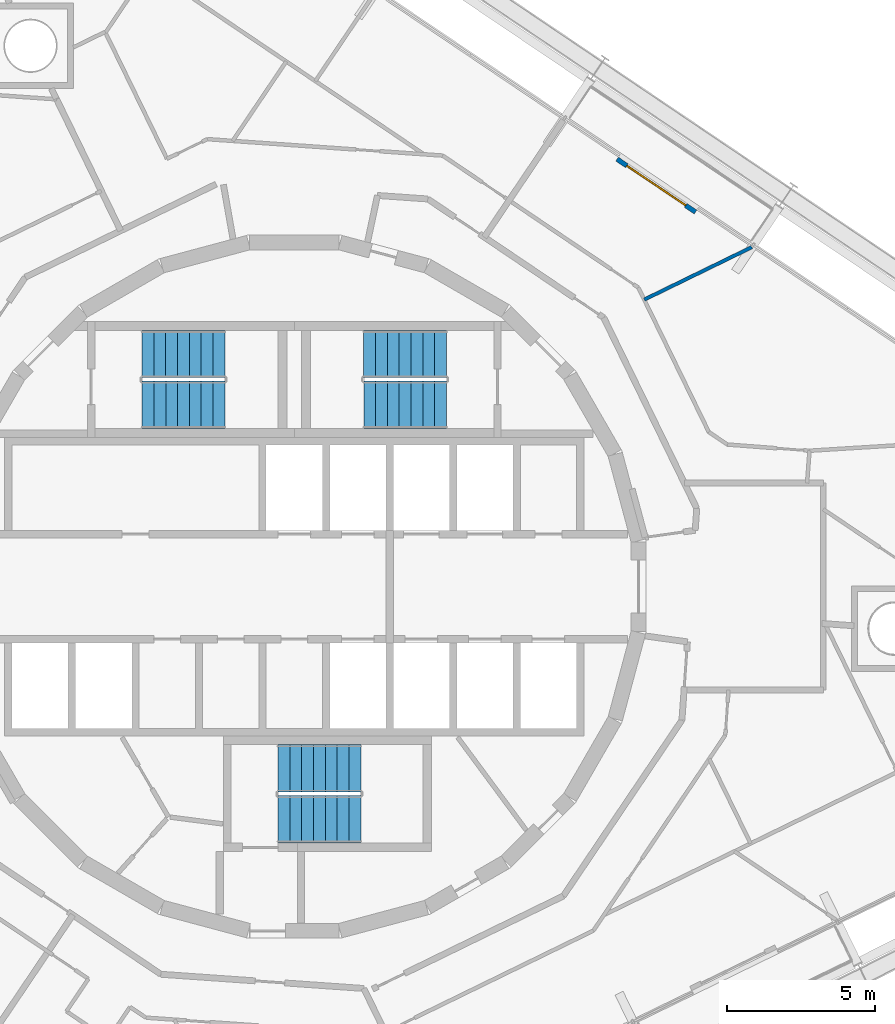
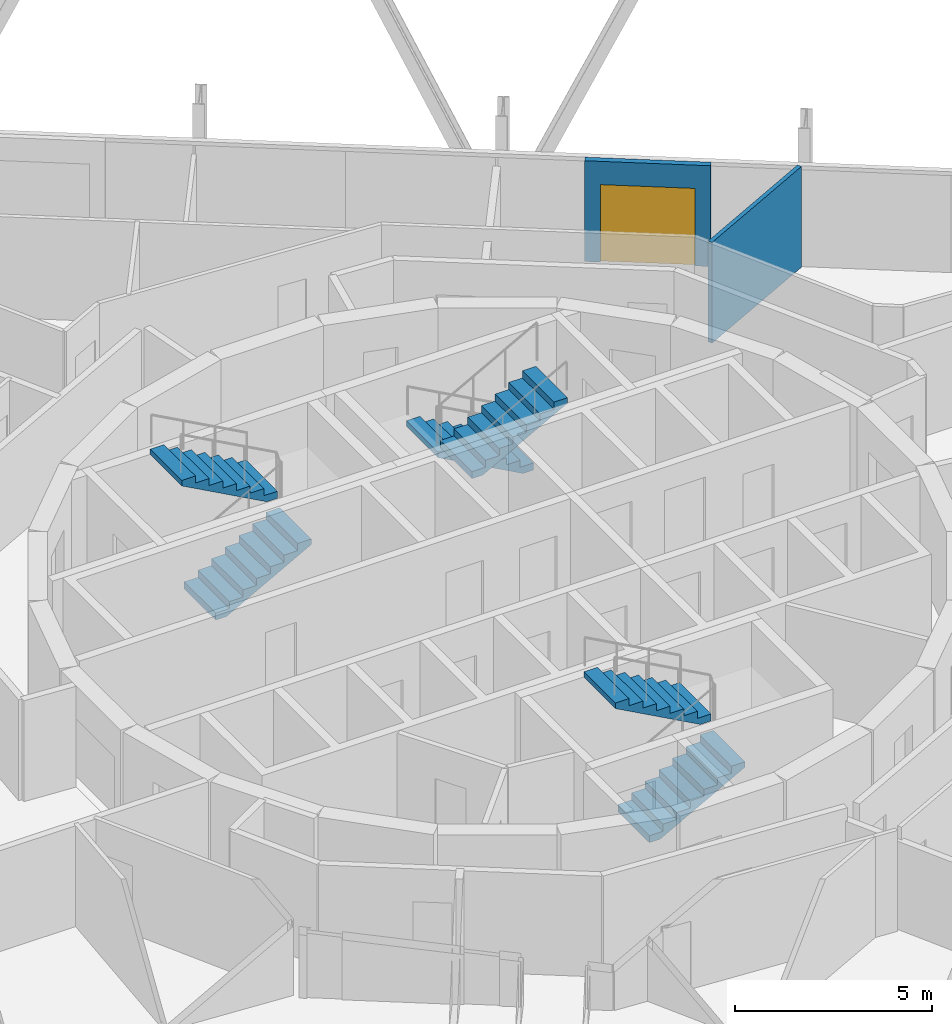
# One storey, part 17 of 18: 6 stair flights, 2 walls, 1 door, 1 opening, 3 elements without a shape of their own.
"""IFC4 building model written with IfcOpenShell, lengths in metres."""

import ifcopenshell
import ifcopenshell.guid

model = None  # the IFC model being written
_history = None  # IfcOwnerHistory: only IFC2X3 demands one
_inside = {}  # id of a spatial element -> (the spatial element, [elements in it])
_under = {}  # id of a project, library or spatial element -> (it, [spatial elements below it])
_declared = {}  # id of a project -> (the project, [libraries it declares])
_typed = {}  # id of a type object -> (the type object, [elements of that type])
_made_of = {}  # id of a material, layer set ... -> (it, [elements and type objects made of it])


def new_model(schema):
    """Start an empty IFC model of exactly this schema.

    Asked for "IFC4X3", IfcOpenShell would pick the latest addendum, in which some entities
    have other attributes; the version numbers below select the first issue.
    IFC2X3 requires an IfcOwnerHistory on every rooted entity: one is made here for all.
    """
    global model, _history
    if schema == "IFC4X3":
        model = ifcopenshell.file(schema_version=(4, 3, 0, 0))
    else:
        model = ifcopenshell.file(schema=schema)
    _inside.clear()
    _under.clear()
    _declared.clear()
    _typed.clear()
    _made_of.clear()
    _history = None
    if model.schema == "IFC2X3":
        org = make("IfcOrganization", Name="unknown")
        user = make(
            "IfcPersonAndOrganization",
            ThePerson=make("IfcPerson", FamilyName="unknown"),
            TheOrganization=org,
        )
        app = make(
            "IfcApplication",
            ApplicationDeveloper=org,
            Version="unknown",
            ApplicationFullName="unknown",
            ApplicationIdentifier="unknown",
        )
        _history = make(
            "IfcOwnerHistory",
            OwningUser=user,
            OwningApplication=app,
            ChangeAction="ADDED",
            CreationDate=0,
        )
    return model


def make(cls, **values):
    """One entity of the class cls with the attributes given. An attribute that is None is left unset."""
    return model.create_entity(
        cls, **{name: value for name, value in values.items() if value is not None}
    )


def rooted(cls, **values):
    """An entity with a GlobalId (a new one), such as an element, a storey or a relation."""
    return make(cls, GlobalId=ifcopenshell.guid.new(), OwnerHistory=_history, **values)


def si_unit(unit_type, name, prefix=None):
    """IfcSIUnit, for example si_unit("LENGTHUNIT", "METRE", prefix="MILLI")."""
    return make("IfcSIUnit", UnitType=unit_type, Prefix=prefix, Name=name)


def assignment(units):
    """IfcUnitAssignment: the units of a project."""
    return None if units is None else make("IfcUnitAssignment", Units=units)


def point(xyz):
    """IfcCartesianPoint."""
    return None if xyz is None else make("IfcCartesianPoint", Coordinates=xyz)


def direction(xyz):
    """IfcDirection."""
    return None if xyz is None else make("IfcDirection", DirectionRatios=xyz)


def frame(location, z_axis=None, x_axis=None):
    """IfcAxis2Placement3D, a coordinate frame: its origin and axes. An axis left out is left unset."""
    return make(
        "IfcAxis2Placement3D",
        Location=point(location),
        Axis=direction(z_axis),
        RefDirection=direction(x_axis),
    )


def frame_2d(location, x_axis=None):
    """IfcAxis2Placement2D, a coordinate frame in the plane: its origin and x axis."""
    return make(
        "IfcAxis2Placement2D", Location=point(location), RefDirection=direction(x_axis)
    )


def origin():
    """The frame at (0, 0, 0) with its axes left unset."""
    return frame((0.0, 0.0, 0.0))


def place(relative_to, where):
    """IfcLocalPlacement: puts the frame where relative to a parent placement (None: the world)."""
    return make(
        "IfcLocalPlacement", PlacementRelTo=relative_to, RelativePlacement=where
    )


def context(
    kind, dimensions, precision=None, world=None, true_north=None, identifier=None
):
    """IfcGeometricRepresentationContext, for example the 3D "Model" context."""
    return make(
        "IfcGeometricRepresentationContext",
        ContextIdentifier=identifier,
        ContextType=kind,
        CoordinateSpaceDimension=dimensions,
        Precision=precision,
        WorldCoordinateSystem=world,
        TrueNorth=true_north,
    )


def subcontext(parent, identifier, kind, view, scale=None):
    """IfcGeometricRepresentationSubContext, for example "Body" below "Model"."""
    return make(
        "IfcGeometricRepresentationSubContext",
        ContextIdentifier=identifier,
        ContextType=kind,
        ParentContext=parent,
        TargetScale=scale,
        TargetView=view,
    )


def project(units=None, contexts=None):
    """IfcProject with its units and contexts."""
    return rooted(
        "IfcProject",
        Name="project",
        RepresentationContexts=contexts,
        UnitsInContext=assignment(units),
    )


def spatial(cls, under=None, at=None, **own):
    """A site, building, storey or space (cls), placed at a placement, below another one or the project."""
    s = rooted(cls, ObjectPlacement=at, **own)
    if under is not None:
        _under.setdefault(under.id(), (under, []))[1].append(s)
    return s


def polyline(points):
    """IfcPolyline through the points."""
    return make("IfcPolyline", Points=[point(p) for p in points])


def profile(cls, at=None, kind="AREA", **sizes):
    """A parametric profile (cls). Its sizes go by their IFC names, for example OverallWidth=200.0."""
    return make(cls, ProfileType=kind, Position=at, **sizes)


def rectangle(**sizes):
    """IfcRectangleProfileDef."""
    return profile("IfcRectangleProfileDef", **sizes)


def outline(outer, holes=None, kind="AREA"):
    """IfcArbitraryClosedProfileDef: a profile drawn as a closed curve; with holes, ...WithVoids."""
    if holes is None:
        return make("IfcArbitraryClosedProfileDef", ProfileType=kind, OuterCurve=outer)
    return make(
        "IfcArbitraryProfileDefWithVoids",
        ProfileType=kind,
        OuterCurve=outer,
        InnerCurves=holes,
    )


def extrude(swept, where, along, depth):
    """IfcExtrudedAreaSolid: the profile swept, set in the frame where, extruded along a direction by depth."""
    return make(
        "IfcExtrudedAreaSolid",
        SweptArea=swept,
        Position=where,
        ExtrudedDirection=direction(along),
        Depth=depth,
    )


def shape(context_of_items, identifier, shape_type, items):
    """IfcShapeRepresentation: the items that make up one representation, for example the "Body"."""
    return make(
        "IfcShapeRepresentation",
        ContextOfItems=context_of_items,
        RepresentationIdentifier=identifier,
        RepresentationType=shape_type,
        Items=items,
    )


def material(Name=None, Category=None):
    """IfcMaterial."""
    return make("IfcMaterial", Name=Name, Category=Category)


def layer(
    of_material, thickness, ventilated=None, Name=None, Category=None, Priority=None
):
    """IfcMaterialLayer: one layer of a wall or slab, of a material (None: an air gap)."""
    return make(
        "IfcMaterialLayer",
        Material=of_material,
        LayerThickness=thickness,
        IsVentilated=ventilated,
        Name=Name,
        Category=Category,
        Priority=Priority,
    )


def layer_set(layers, Name=None):
    """IfcMaterialLayerSet."""
    return make("IfcMaterialLayerSet", MaterialLayers=layers, LayerSetName=Name)


def made_of(thing, what):
    """Note that an element or type object is made of a material, layer set ...; save() writes the relation."""
    if what is not None:
        _made_of.setdefault(what.id(), (what, []))[1].append(thing)
    return thing


def type_object(cls, material=None, **own):
    """A type object (cls), such as IfcWallType, which elements share."""
    return made_of(rooted(cls, **own), material)


def element(
    cls,
    number,
    at=None,
    inside=None,
    cuts=None,
    type_object=None,
    material=None,
    context=None,
    identifier="Body",
    shape_type=None,
    held_by="IfcProductDefinitionShape",
    body=None,
    shapes=None,
    **own,
):
    """One element of the class cls, such as IfcWall. Its Tag is "e" and its number.

    at: its placement. inside: the storey or other place that contains it. cuts: it is an
    opening in that element (IfcRelVoidsElement). A single representation is given by context,
    identifier, shape_type and body (its items); several are given by shapes. held_by: the class
    of the entity that holds the representations. save() writes the other relations.
    """
    e = rooted(cls, Tag="e%d" % number, ObjectPlacement=at, **own)
    if body is not None:
        shapes = [shape(context, identifier, shape_type, body)]
    if shapes is not None:
        e.Representation = make(held_by, Representations=shapes)
    if inside is not None:
        _inside.setdefault(inside.id(), (inside, []))[1].append(e)
    if cuts is not None:
        rooted(
            "IfcRelVoidsElement", RelatingBuildingElement=cuts, RelatedOpeningElement=e
        )
    if type_object is not None:
        _typed.setdefault(type_object.id(), (type_object, []))[1].append(e)
    return made_of(e, material)


def fill(opening, filler):
    """IfcRelFillsElement: the door or window that sits in an opening."""
    return rooted(
        "IfcRelFillsElement",
        RelatingOpeningElement=opening,
        RelatedBuildingElement=filler,
    )


def aggregate(whole, parts):
    """IfcRelAggregates: a whole, such as a stair, and the parts it consists of."""
    return rooted("IfcRelAggregates", RelatingObject=whole, RelatedObjects=parts)


def save(model, path):
    """Write the relations noted so far, then the file.

    IfcRelAggregates (storeys below a building ...), IfcRelContainedInSpatialStructure (elements
    in a storey), IfcRelDefinesByType, IfcRelAssociatesMaterial and IfcRelDeclares: one each for
    every whole, place, type object, material and project.
    """
    for whole, parts in _under.values():
        aggregate(whole, parts)
    for where, things in _inside.values():
        rooted(
            "IfcRelContainedInSpatialStructure",
            RelatedElements=things,
            RelatingStructure=where,
        )
    for kind, things in _typed.values():
        rooted("IfcRelDefinesByType", RelatedObjects=things, RelatingType=kind)
    for what, things in _made_of.values():
        rooted("IfcRelAssociatesMaterial", RelatedObjects=things, RelatingMaterial=what)
    for by, libraries in _declared.values():
        rooted("IfcRelDeclares", RelatingContext=by, RelatedDefinitions=libraries)
    model.write(path)


model = new_model("IFC4")

# Units and contexts
model_context = context("Model", 3, precision=1e-05, world=origin(), true_north=direction((0.0, 1.0)))
body_context = subcontext(model_context, "Body", "Model", "MODEL_VIEW")
ifc_project = project(units=[si_unit("LENGTHUNIT", "METRE"), si_unit("AREAUNIT", "SQUARE_METRE"), si_unit("VOLUMEUNIT", "CUBIC_METRE"), si_unit("PLANEANGLEUNIT", "RADIAN"), si_unit("MASSUNIT", "GRAM", prefix="KILO")], contexts=[model_context])

# Site, building, storey
site_placement = place(None, origin())
site = spatial("IfcSite", under=ifc_project, at=site_placement, CompositionType="ELEMENT")
building_placement = place(site_placement, origin())
building = spatial("IfcBuilding", under=site, at=building_placement, Name="Spindle Arch Residences", CompositionType="ELEMENT")
storey_placement = place(building_placement, frame((0.0, 0.0, 202.39990234375)))
storey = spatial("IfcBuildingStorey", under=building, at=storey_placement, Name="L51", CompositionType="ELEMENT", Elevation=202.39990234375)

# Wall
ifc_material_1 = material(Name="Plasterboard on steel studs", Category="steel")
ifc_layer_1 = layer(ifc_material_1, 0.1201171875)
ifc_layer_set_1 = layer_set([ifc_layer_1], Name="Flat partition 120")
wall_type_1 = type_object("IfcWallType", Name="Flat partition 120", PredefinedType="PARTITIONING", material=ifc_layer_set_1)
wall_1_placement = place(storey_placement, frame((15.48193359375, 11.4873046875, 0.0), z_axis=(0.0, 0.0, 1.0), x_axis=(-0.898807251285, -0.438344071521, 0.0)))
element("IfcWall", 1, at=wall_1_placement, inside=storey, type_object=wall_type_1, Name="Flat partition R5B0-W047", PredefinedType="PARTITIONING", context=body_context, shape_type="SweptSolid", body=[
    extrude(rectangle(XDim=4.05078125, YDim=0.1201171875, at=frame_2d((2.025390625, 0.0))), origin(), (0.0, 0.0, 1.0), 3.1201171875),
])

# Wall, opening, door
ifc_material_2 = material(Name="Non-combustible mineral wool insulated aluminium faced external wall (K0)", Category="aluminium")
ifc_layer_2 = layer(ifc_material_2, 0.159912109375)
ifc_layer_set_2 = layer_set([ifc_layer_2], Name="Insulated external wall panel 160")
wall_type_2 = type_object("IfcWallType", Name="Insulated external wall panel 160", PredefinedType="STANDARD", material=ifc_layer_set_2)
wall_2_placement = place(storey_placement, frame((13.574462890625, 12.677490234375, 0.0), z_axis=(0.0, 0.0, 1.0), x_axis=(-0.829068838882, 0.55914654644, 0.0)))
wall_2 = element("IfcWall", 2, at=wall_2_placement, inside=storey, type_object=wall_type_2, Name="External wall L51 bay 7", PredefinedType="STANDARD", context=body_context, shape_type="SweptSolid", body=[
    extrude(rectangle(XDim=3.199951171875, YDim=0.159912109375, at=frame_2d((1.60009765625, 0.0))), origin(), (0.0, 0.0, 1.0), 3.1201171875),
])
opening_placement = place(wall_2_placement, frame((0.39990234375, 0.0, 0.0)))
opening = element("IfcOpeningElement", 3, at=opening_placement, cuts=wall_2, Name="Opening BD07", PredefinedType="OPENING", context=body_context, shape_type="SweptSolid", body=[
    extrude(rectangle(XDim=2.39990234375, YDim=2.39990234375, at=frame_2d((1.199951171875, 1.199951171875))), frame((0.0, 0.08984375, 0.0), z_axis=(0.0, -1.0, 0.0), x_axis=(1.0, 0.0, 0.0)), (0.0, 0.0, 1.0), 0.179931640625),
])
ifc_material_3 = material(Name="Bronze aluminium frame, tinted double glazing", Category="aluminium")
door_type = type_object("IfcDoorType", Name="Sliding glazed balcony door 2400x2400", OperationType="DOUBLE_DOOR_SLIDING", PredefinedType="DOOR", material=ifc_material_3)
door_placement = place(opening_placement, origin())
door = element("IfcDoor", 4, at=door_placement, inside=storey, type_object=door_type, Name="Balcony door BD07", OperationType="DOUBLE_DOOR_SLIDING", OverallHeight=2.39990234375, OverallWidth=2.39990234375, PredefinedType="DOOR", context=body_context, shape_type="SweptSolid", body=[
    extrude(rectangle(XDim=2.39990234375, YDim=2.39990234375, at=frame_2d((1.199951171875, 1.199951171875))), frame((0.0, 0.02490234375, 0.0), z_axis=(0.0, -1.0, 0.0), x_axis=(1.0, 0.0, 0.0)), (0.0, 0.0, 1.0), 0.050048828125),
])
fill(opening, door)

# Stair, stair flights
ifc_material_4 = material(Name="Concrete C50/60", Category="concrete")
stair_type = type_object("IfcStairType", Name="Exit stair 16 risers", PredefinedType="HALF_TURN_STAIR", material=ifc_material_4)
stair_1_placement = place(storey_placement, origin())
stair_1 = element("IfcStair", 5, at=stair_1_placement, inside=storey, type_object=stair_type, Name="L51 Exit stair ST1", PredefinedType="HALF_TURN_STAIR")
ifc_material_5 = material(Name="Concrete C50/60", Category="concrete")
stair_flight_type = type_object("IfcStairFlightType", Name="Exit stair flight", PredefinedType="STRAIGHT", material=ifc_material_5)
stair_flight_1_placement = place(storey_placement, frame((5.14990234375, 7.8701171875, 0.0), z_axis=(0.0, 0.0, 1.0), x_axis=(-1.0, 0.0, 0.0)))
stair_flight_1 = element("IfcStairFlight", 6, at=stair_flight_1_placement, type_object=stair_flight_type, Name="ST1 flight 1", NumberOfRisers=8, NumberOfTreads=7, PredefinedType="STRAIGHT", RiserHeight=0.21875, TreadLength=0.4, context=body_context, shape_type="SweptSolid", body=[
    extrude(outline(polyline([(0.0, 0.0), (0.0, 0.21875), (0.39990234375, 0.21875), (0.39990234375, 0.4375), (0.800048828125, 0.4375), (0.800048828125, 0.65625), (1.199951171875, 0.65625), (1.199951171875, 0.875), (1.60009765625, 0.875), (1.60009765625, 1.09375), (2.0, 1.09375), (2.0, 1.3125), (2.39990234375, 1.3125), (2.39990234375, 1.53125), (2.800048828125, 1.53125), (2.800048828125, 1.75), (2.800048828125, 1.3603515625), (0.3125, 0.0), (0.0, 0.0)])), frame((0.0, 0.800048828125, 0.0), z_axis=(0.0, -1.0, 0.0), x_axis=(1.0, 0.0, 0.0)), (0.0, 0.0, 1.0), 1.60009765625),
])
stair_flight_2_placement = place(storey_placement, frame((2.35009765625, 6.14990234375, 1.75), z_axis=(0.0, 0.0, 1.0), x_axis=(1.0, 0.0, 0.0)))
stair_flight_2 = element("IfcStairFlight", 7, at=stair_flight_2_placement, type_object=stair_flight_type, Name="ST1 flight 2", NumberOfRisers=8, NumberOfTreads=7, PredefinedType="STRAIGHT", RiserHeight=0.21875, TreadLength=0.4, context=body_context, shape_type="SweptSolid", body=[
    extrude(outline(polyline([(0.0, 0.0), (0.0, 0.21875), (0.39990234375, 0.21875), (0.39990234375, 0.4375), (0.800048828125, 0.4375), (0.800048828125, 0.65625), (1.199951171875, 0.65625), (1.199951171875, 0.875), (1.60009765625, 0.875), (1.60009765625, 1.09375), (2.0, 1.09375), (2.0, 1.3125), (2.39990234375, 1.3125), (2.39990234375, 1.53125), (2.800048828125, 1.53125), (2.800048828125, 1.75), (2.800048828125, 1.3603515625), (0.3125, 0.0), (0.0, 0.0)])), frame((0.0, 0.800048828125, 0.0), z_axis=(0.0, -1.0, 0.0), x_axis=(1.0, 0.0, 0.0)), (0.0, 0.0, 1.0), 1.60009765625),
])
aggregate(stair_1, [stair_flight_1, stair_flight_2])

stair_2_placement = place(storey_placement, origin())
stair_2 = element("IfcStair", 8, at=stair_2_placement, inside=storey, type_object=stair_type, Name="L51 Exit stair ST2", PredefinedType="HALF_TURN_STAIR")
stair_flight_3_placement = place(storey_placement, frame((-5.14990234375, 6.14990234375, 0.0), z_axis=(0.0, 0.0, 1.0), x_axis=(1.0, 0.0, 0.0)))
stair_flight_3 = element("IfcStairFlight", 9, at=stair_flight_3_placement, type_object=stair_flight_type, Name="ST2 flight 1", NumberOfRisers=8, NumberOfTreads=7, PredefinedType="STRAIGHT", RiserHeight=0.21875, TreadLength=0.4, context=body_context, shape_type="SweptSolid", body=[
    extrude(outline(polyline([(0.0, 0.0), (0.0, 0.21875), (0.39990234375, 0.21875), (0.39990234375, 0.4375), (0.800048828125, 0.4375), (0.800048828125, 0.65625), (1.199951171875, 0.65625), (1.199951171875, 0.875), (1.60009765625, 0.875), (1.60009765625, 1.09375), (2.0, 1.09375), (2.0, 1.3125), (2.39990234375, 1.3125), (2.39990234375, 1.53125), (2.800048828125, 1.53125), (2.800048828125, 1.75), (2.800048828125, 1.3603515625), (0.3125, 0.0), (0.0, 0.0)])), frame((0.0, 0.800048828125, 0.0), z_axis=(0.0, -1.0, 0.0), x_axis=(1.0, 0.0, 0.0)), (0.0, 0.0, 1.0), 1.60009765625),
])
stair_flight_4_placement = place(storey_placement, frame((-2.35009765625, 7.8701171875, 1.75), z_axis=(0.0, 0.0, 1.0), x_axis=(-1.0, 0.0, 0.0)))
stair_flight_4 = element("IfcStairFlight", 10, at=stair_flight_4_placement, type_object=stair_flight_type, Name="ST2 flight 2", NumberOfRisers=8, NumberOfTreads=7, PredefinedType="STRAIGHT", RiserHeight=0.21875, TreadLength=0.4, context=body_context, shape_type="SweptSolid", body=[
    extrude(outline(polyline([(0.0, 0.0), (0.0, 0.21875), (0.39990234375, 0.21875), (0.39990234375, 0.4375), (0.800048828125, 0.4375), (0.800048828125, 0.65625), (1.199951171875, 0.65625), (1.199951171875, 0.875), (1.60009765625, 0.875), (1.60009765625, 1.09375), (2.0, 1.09375), (2.0, 1.3125), (2.39990234375, 1.3125), (2.39990234375, 1.53125), (2.800048828125, 1.53125), (2.800048828125, 1.75), (2.800048828125, 1.3603515625), (0.3125, 0.0), (0.0, 0.0)])), frame((0.0, 0.800048828125, 0.0), z_axis=(0.0, -1.0, 0.0), x_axis=(1.0, 0.0, 0.0)), (0.0, 0.0, 1.0), 1.60009765625),
])
aggregate(stair_2, [stair_flight_3, stair_flight_4])

stair_3_placement = place(storey_placement, origin())
stair_3 = element("IfcStair", 11, at=stair_3_placement, inside=storey, type_object=stair_type, Name="L51 Exit stair ST3", PredefinedType="HALF_TURN_STAIR")
stair_flight_5_placement = place(storey_placement, frame((-0.550048828125, -7.8701171875, 0.0), z_axis=(0.0, 0.0, 1.0), x_axis=(1.0, 0.0, 0.0)))
stair_flight_5 = element("IfcStairFlight", 12, at=stair_flight_5_placement, type_object=stair_flight_type, Name="ST3 flight 1", NumberOfRisers=8, NumberOfTreads=7, PredefinedType="STRAIGHT", RiserHeight=0.21875, TreadLength=0.4, context=body_context, shape_type="SweptSolid", body=[
    extrude(outline(polyline([(0.0, 0.0), (0.0, 0.21875), (0.39990234375, 0.21875), (0.39990234375, 0.4375), (0.800048828125, 0.4375), (0.800048828125, 0.65625), (1.199951171875, 0.65625), (1.199951171875, 0.875), (1.60009765625, 0.875), (1.60009765625, 1.09375), (2.0, 1.09375), (2.0, 1.3125), (2.39990234375, 1.3125), (2.39990234375, 1.53125), (2.800048828125, 1.53125), (2.800048828125, 1.75), (2.800048828125, 1.3603515625), (0.3125, 0.0), (0.0, 0.0)])), frame((0.0, 0.800048828125, 0.0), z_axis=(0.0, -1.0, 0.0), x_axis=(1.0, 0.0, 0.0)), (0.0, 0.0, 1.0), 1.60009765625),
])
stair_flight_6_placement = place(storey_placement, frame((2.25, -6.14990234375, 1.75), z_axis=(0.0, 0.0, 1.0), x_axis=(-1.0, 0.0, 0.0)))
stair_flight_6 = element("IfcStairFlight", 13, at=stair_flight_6_placement, type_object=stair_flight_type, Name="ST3 flight 2", NumberOfRisers=8, NumberOfTreads=7, PredefinedType="STRAIGHT", RiserHeight=0.21875, TreadLength=0.4, context=body_context, shape_type="SweptSolid", body=[
    extrude(outline(polyline([(0.0, 0.0), (0.0, 0.21875), (0.39990234375, 0.21875), (0.39990234375, 0.4375), (0.800048828125, 0.4375), (0.800048828125, 0.65625), (1.199951171875, 0.65625), (1.199951171875, 0.875), (1.60009765625, 0.875), (1.60009765625, 1.09375), (2.0, 1.09375), (2.0, 1.3125), (2.39990234375, 1.3125), (2.39990234375, 1.53125), (2.800048828125, 1.53125), (2.800048828125, 1.75), (2.800048828125, 1.3603515625), (0.3125, 0.0), (0.0, 0.0)])), frame((0.0, 0.800048828125, 0.0), z_axis=(0.0, -1.0, 0.0), x_axis=(1.0, 0.0, 0.0)), (0.0, 0.0, 1.0), 1.60009765625),
])
aggregate(stair_3, [stair_flight_5, stair_flight_6])

save(model, "model.ifc")
